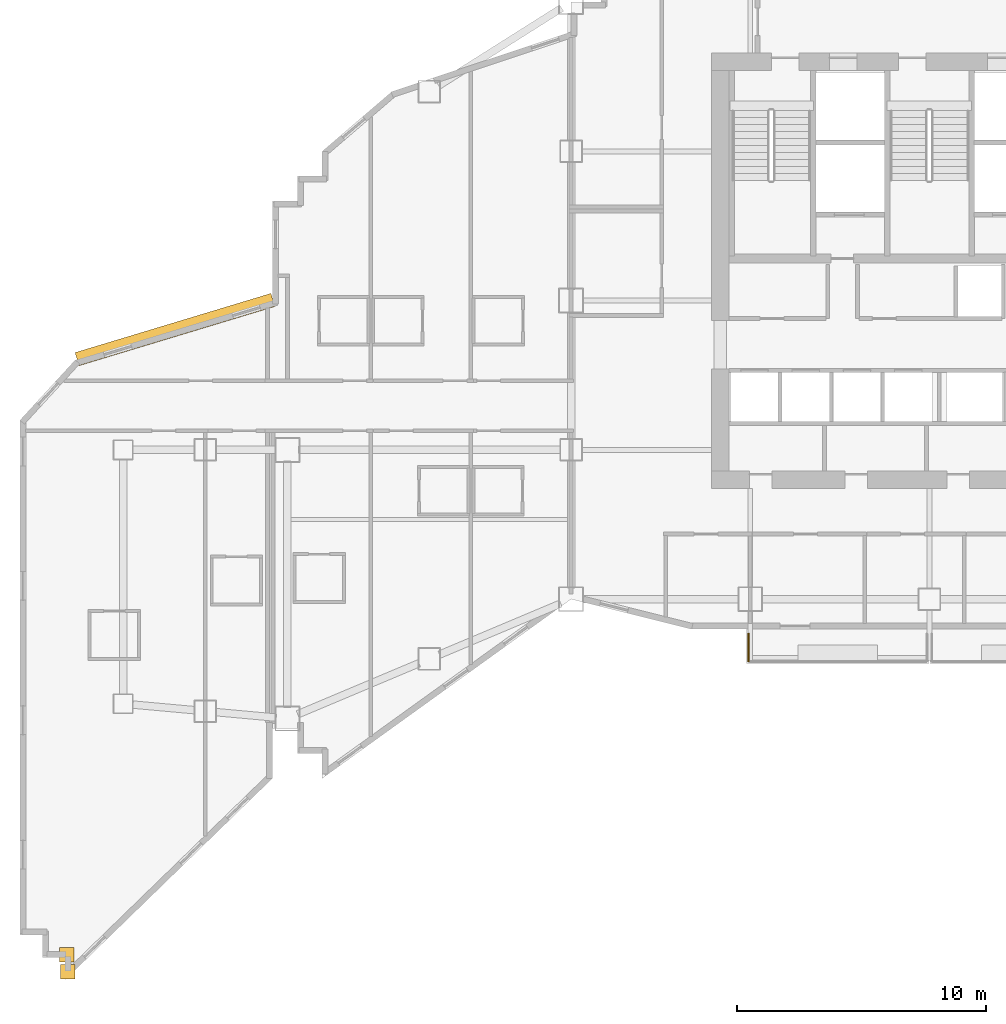
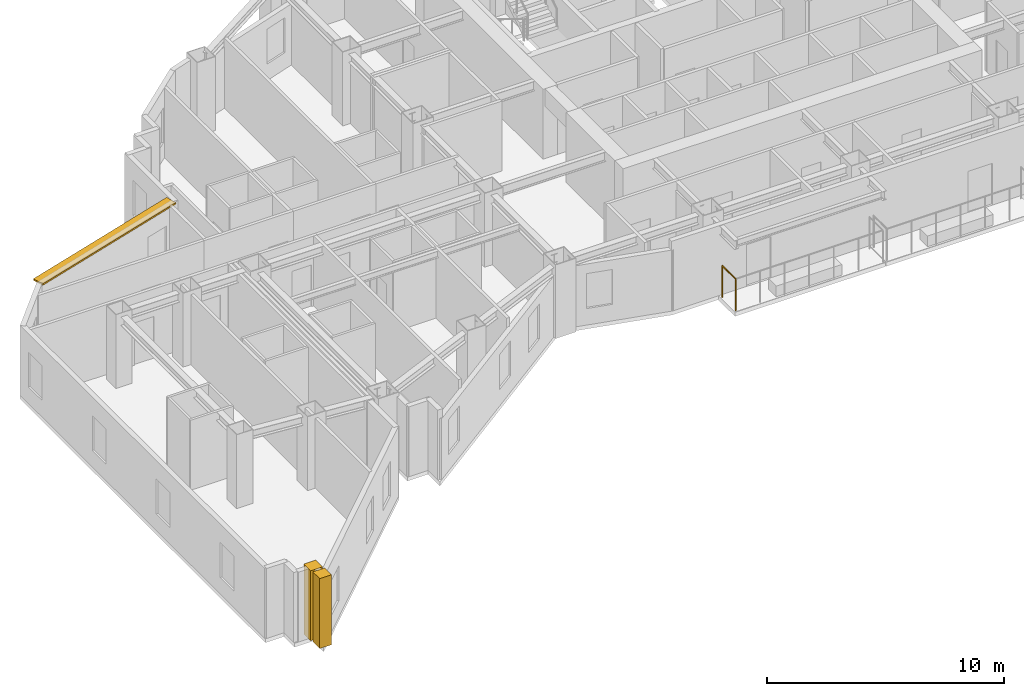
# One storey, part 13 of 14: 2 coverings, 1 railing, 1 shading device.
"""IFC4 building model written with IfcOpenShell, lengths in metres."""

from ifc_helpers import new_model, si_unit, direction, frame, origin, origin_2d, place, context, subcontext, project, spatial, rectangle, circle, extrude, material, layer, layer_set, type_object, element, save


model = new_model("IFC4")

# Units and contexts
model_context = context("Model", 3, precision=1e-05, world=origin(), true_north=direction((0.0, 1.0)))
body_context = subcontext(model_context, "Body", "Model", "MODEL_VIEW")
ifc_project = project(units=[si_unit("LENGTHUNIT", "METRE"), si_unit("AREAUNIT", "SQUARE_METRE"), si_unit("VOLUMEUNIT", "CUBIC_METRE"), si_unit("PLANEANGLEUNIT", "RADIAN"), si_unit("MASSUNIT", "GRAM", prefix="KILO")], contexts=[model_context])

# Site, building, storey
site_placement = place(None, origin())
site = spatial("IfcSite", under=ifc_project, at=site_placement, CompositionType="ELEMENT")
building_placement = place(site_placement, origin())
building = spatial("IfcBuilding", under=site, at=building_placement, Name="Haolan Belvedere Tower", CompositionType="ELEMENT")
storey_placement = place(building_placement, frame((0.0, 0.0, 121.199951171875)))
storey = spatial("IfcBuildingStorey", under=building, at=storey_placement, Name="L30", CompositionType="ELEMENT", Elevation=121.199951171875)

# Coverings
ifc_material_1 = material(Name="Pale champagne-silver anodised aluminium rainscreen cladding", Category="aluminium")
ifc_layer_1 = layer(ifc_material_1, 0.034912109375, Name="Pale champagne-silver anodised aluminium rainscreen cladding")
ifc_layer_set_1 = layer_set([ifc_layer_1], Name="Pale champagne-silver anodised aluminium rainscreen cladding")
covering_type = type_object("IfcCoveringType", Name="COV-CLAD-35", PredefinedType="CLADDING", material=ifc_layer_set_1)
for number, where, z_axis, x_axis, name in (
    (1, (3.737548828125, 7.31689453125, 0.0), (0.0, 0.0, 1.0), (1.0, 0.0, 0.0), "L30 pale-metal serrated corner cladding trim 1"),
    (2, (3.780029296875, 6.623291015625, 0.0), (0.0, 0.0, 1.0), (1.0, 0.0, 0.0), "L30 pale-metal serrated corner cladding trim 2"),
):
    element("IfcCovering", number, at=place(storey_placement, frame(where, z_axis=z_axis, x_axis=x_axis)), inside=storey, type_object=covering_type, Name=name, PredefinedType="CLADDING", context=body_context, shape_type="SweptSolid", body=[
        extrude(rectangle(XDim=0.580078125, YDim=0.580078125, at=origin_2d()), origin(), (0.0, 0.0, 1.0), 3.60009765625),
    ])

# Railing
ifc_material_2 = material(Name="Anodised aluminium and laminated glass balustrade", Category="aluminium")
railing_type = type_object("IfcRailingType", Name="RL-TER-BAL-1150", PredefinedType="BALUSTRADE", material=ifc_material_2)
railing_placement = place(storey_placement, frame((31.1298828125, 19.10009765625, 0.0)))
element("IfcRailing", 3, at=railing_placement, inside=storey, type_object=railing_type, Name="L30 outdoor perimeter balustrade BAL-L30-1-1", PredefinedType="BALUSTRADE", context=body_context, shape_type="SweptSolid", body=[
    extrude(circle(Radius=0.02392578125, at=origin_2d()), frame((0.0, 0.0, 1.6259765625), z_axis=(0.0, 1.0, 0.0), x_axis=(-1.0, 0.0, 0.0)), (0.0, 0.0, 1.0), 1.119873046875),
    extrude(circle(Radius=0.02099609375, at=origin_2d()), origin(), (0.0, 0.0, 1.0), 1.601806640625),
    extrude(circle(Radius=0.02099609375, at=origin_2d()), frame((0.0, 1.119873046875, 0.0)), (0.0, 0.0, 1.0), 1.601806640625),
])

# Shading device
ifc_material_3 = material(Name="Anodised champagne-silver aluminium 6063-T6", Category="aluminium")
ifc_layer_2 = layer(ifc_material_3, 0.080078125, Name="Anodised champagne-silver aluminium 6063-T6")
ifc_layer_set_2 = layer_set([ifc_layer_2], Name="Anodised champagne-silver aluminium 6063-T6")
shading_device_type = type_object("IfcShadingDeviceType", Name="SHD-SUN-550", PredefinedType="USERDEFINED", material=ifc_layer_set_2)
shading_device_placement = place(storey_placement, frame((8.08251953125, 32.436767578125, 3.5), z_axis=(0.0, 0.0, 1.0), x_axis=(-0.957228648275, -0.289332533466, 0.0)))
element("IfcShadingDevice", 4, at=shading_device_placement, inside=storey, type_object=shading_device_type, Name="L30 pale-metal horizontal SUNSHADE band 42.1", ObjectType="SUNSHADE", PredefinedType="USERDEFINED", context=body_context, shape_type="SweptSolid", body=[
    extrude(rectangle(XDim=8.220947265625, YDim=0.550048828125, at=origin_2d()), origin(), (0.0, 0.0, 1.0), 0.080078125),
])

save(model, "model.ifc")
